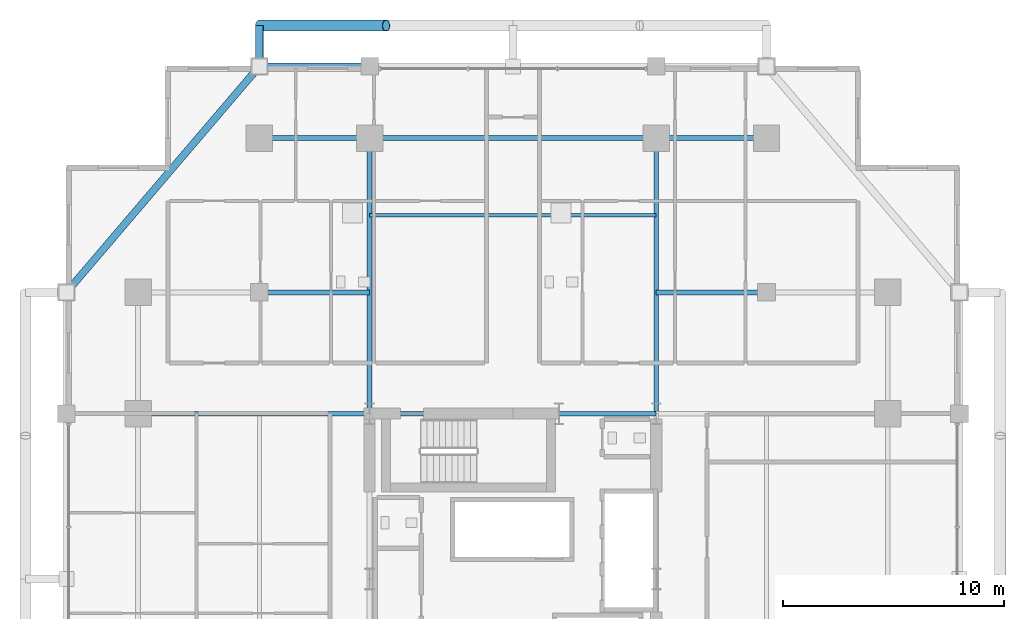
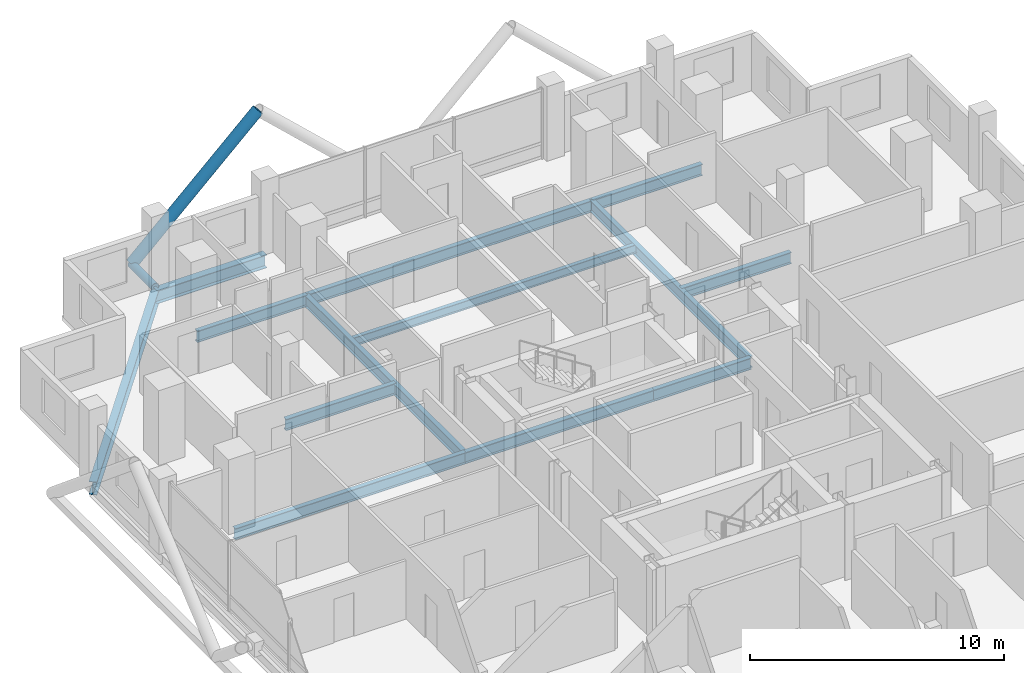
# One storey, part 13 of 25: 13 beams, 2 members.
"""IFC4 building model written with IfcOpenShell, lengths in metres."""

import ifcopenshell
import ifcopenshell.guid

model = None  # the IFC model being written
_history = None  # IfcOwnerHistory: only IFC2X3 demands one
_inside = {}  # id of a spatial element -> (the spatial element, [elements in it])
_under = {}  # id of a project, library or spatial element -> (it, [spatial elements below it])
_declared = {}  # id of a project -> (the project, [libraries it declares])
_typed = {}  # id of a type object -> (the type object, [elements of that type])
_made_of = {}  # id of a material, layer set ... -> (it, [elements and type objects made of it])


def new_model(schema):
    """Start an empty IFC model of exactly this schema.

    Asked for "IFC4X3", IfcOpenShell would pick the latest addendum, in which some entities
    have other attributes; the version numbers below select the first issue.
    IFC2X3 requires an IfcOwnerHistory on every rooted entity: one is made here for all.
    """
    global model, _history
    if schema == "IFC4X3":
        model = ifcopenshell.file(schema_version=(4, 3, 0, 0))
    else:
        model = ifcopenshell.file(schema=schema)
    _inside.clear()
    _under.clear()
    _declared.clear()
    _typed.clear()
    _made_of.clear()
    _history = None
    if model.schema == "IFC2X3":
        org = make("IfcOrganization", Name="unknown")
        user = make(
            "IfcPersonAndOrganization",
            ThePerson=make("IfcPerson", FamilyName="unknown"),
            TheOrganization=org,
        )
        app = make(
            "IfcApplication",
            ApplicationDeveloper=org,
            Version="unknown",
            ApplicationFullName="unknown",
            ApplicationIdentifier="unknown",
        )
        _history = make(
            "IfcOwnerHistory",
            OwningUser=user,
            OwningApplication=app,
            ChangeAction="ADDED",
            CreationDate=0,
        )
    return model


def make(cls, **values):
    """One entity of the class cls with the attributes given. An attribute that is None is left unset."""
    return model.create_entity(
        cls, **{name: value for name, value in values.items() if value is not None}
    )


def rooted(cls, **values):
    """An entity with a GlobalId (a new one), such as an element, a storey or a relation."""
    return make(cls, GlobalId=ifcopenshell.guid.new(), OwnerHistory=_history, **values)


def si_unit(unit_type, name, prefix=None):
    """IfcSIUnit, for example si_unit("LENGTHUNIT", "METRE", prefix="MILLI")."""
    return make("IfcSIUnit", UnitType=unit_type, Prefix=prefix, Name=name)


def assignment(units):
    """IfcUnitAssignment: the units of a project."""
    return None if units is None else make("IfcUnitAssignment", Units=units)


def point(xyz):
    """IfcCartesianPoint."""
    return None if xyz is None else make("IfcCartesianPoint", Coordinates=xyz)


def direction(xyz):
    """IfcDirection."""
    return None if xyz is None else make("IfcDirection", DirectionRatios=xyz)


def frame(location, z_axis=None, x_axis=None):
    """IfcAxis2Placement3D, a coordinate frame: its origin and axes. An axis left out is left unset."""
    return make(
        "IfcAxis2Placement3D",
        Location=point(location),
        Axis=direction(z_axis),
        RefDirection=direction(x_axis),
    )


def frame_2d(location, x_axis=None):
    """IfcAxis2Placement2D, a coordinate frame in the plane: its origin and x axis."""
    return make(
        "IfcAxis2Placement2D", Location=point(location), RefDirection=direction(x_axis)
    )


def origin():
    """The frame at (0, 0, 0) with its axes left unset."""
    return frame((0.0, 0.0, 0.0))


def origin_2d():
    """The frame at (0, 0) in the plane with its x axis left unset."""
    return frame_2d((0.0, 0.0))


def place(relative_to, where):
    """IfcLocalPlacement: puts the frame where relative to a parent placement (None: the world)."""
    return make(
        "IfcLocalPlacement", PlacementRelTo=relative_to, RelativePlacement=where
    )


def context(
    kind, dimensions, precision=None, world=None, true_north=None, identifier=None
):
    """IfcGeometricRepresentationContext, for example the 3D "Model" context."""
    return make(
        "IfcGeometricRepresentationContext",
        ContextIdentifier=identifier,
        ContextType=kind,
        CoordinateSpaceDimension=dimensions,
        Precision=precision,
        WorldCoordinateSystem=world,
        TrueNorth=true_north,
    )


def subcontext(parent, identifier, kind, view, scale=None):
    """IfcGeometricRepresentationSubContext, for example "Body" below "Model"."""
    return make(
        "IfcGeometricRepresentationSubContext",
        ContextIdentifier=identifier,
        ContextType=kind,
        ParentContext=parent,
        TargetScale=scale,
        TargetView=view,
    )


def project(units=None, contexts=None):
    """IfcProject with its units and contexts."""
    return rooted(
        "IfcProject",
        Name="project",
        RepresentationContexts=contexts,
        UnitsInContext=assignment(units),
    )


def spatial(cls, under=None, at=None, **own):
    """A site, building, storey or space (cls), placed at a placement, below another one or the project."""
    s = rooted(cls, ObjectPlacement=at, **own)
    if under is not None:
        _under.setdefault(under.id(), (under, []))[1].append(s)
    return s


def profile(cls, at=None, kind="AREA", **sizes):
    """A parametric profile (cls). Its sizes go by their IFC names, for example OverallWidth=200.0."""
    return make(cls, ProfileType=kind, Position=at, **sizes)


def hollow_circle(**sizes):
    """IfcCircleHollowProfileDef."""
    return profile("IfcCircleHollowProfileDef", **sizes)


def i_section(**sizes):
    """IfcIShapeProfileDef."""
    return profile("IfcIShapeProfileDef", **sizes)


def extrude(swept, where, along, depth):
    """IfcExtrudedAreaSolid: the profile swept, set in the frame where, extruded along a direction by depth."""
    return make(
        "IfcExtrudedAreaSolid",
        SweptArea=swept,
        Position=where,
        ExtrudedDirection=direction(along),
        Depth=depth,
    )


def shape(context_of_items, identifier, shape_type, items):
    """IfcShapeRepresentation: the items that make up one representation, for example the "Body"."""
    return make(
        "IfcShapeRepresentation",
        ContextOfItems=context_of_items,
        RepresentationIdentifier=identifier,
        RepresentationType=shape_type,
        Items=items,
    )


def material(Name=None, Category=None):
    """IfcMaterial."""
    return make("IfcMaterial", Name=Name, Category=Category)


def material_profile(
    of_material, cross_section, Name=None, Category=None, Priority=None
):
    """IfcMaterialProfile: a cross section and its material."""
    return make(
        "IfcMaterialProfile",
        Name=Name,
        Material=of_material,
        Profile=cross_section,
        Priority=Priority,
        Category=Category,
    )


def profile_set(profiles, Name=None, composite=None):
    """IfcMaterialProfileSet."""
    return make(
        "IfcMaterialProfileSet",
        Name=Name,
        MaterialProfiles=profiles,
        CompositeProfile=composite,
    )


def made_of(thing, what):
    """Note that an element or type object is made of a material, layer set ...; save() writes the relation."""
    if what is not None:
        _made_of.setdefault(what.id(), (what, []))[1].append(thing)
    return thing


def type_object(cls, material=None, **own):
    """A type object (cls), such as IfcWallType, which elements share."""
    return made_of(rooted(cls, **own), material)


def element(
    cls,
    number,
    at=None,
    inside=None,
    cuts=None,
    type_object=None,
    material=None,
    context=None,
    identifier="Body",
    shape_type=None,
    held_by="IfcProductDefinitionShape",
    body=None,
    shapes=None,
    **own,
):
    """One element of the class cls, such as IfcWall. Its Tag is "e" and its number.

    at: its placement. inside: the storey or other place that contains it. cuts: it is an
    opening in that element (IfcRelVoidsElement). A single representation is given by context,
    identifier, shape_type and body (its items); several are given by shapes. held_by: the class
    of the entity that holds the representations. save() writes the other relations.
    """
    e = rooted(cls, Tag="e%d" % number, ObjectPlacement=at, **own)
    if body is not None:
        shapes = [shape(context, identifier, shape_type, body)]
    if shapes is not None:
        e.Representation = make(held_by, Representations=shapes)
    if inside is not None:
        _inside.setdefault(inside.id(), (inside, []))[1].append(e)
    if cuts is not None:
        rooted(
            "IfcRelVoidsElement", RelatingBuildingElement=cuts, RelatedOpeningElement=e
        )
    if type_object is not None:
        _typed.setdefault(type_object.id(), (type_object, []))[1].append(e)
    return made_of(e, material)


def aggregate(whole, parts):
    """IfcRelAggregates: a whole, such as a stair, and the parts it consists of."""
    return rooted("IfcRelAggregates", RelatingObject=whole, RelatedObjects=parts)


def save(model, path):
    """Write the relations noted so far, then the file.

    IfcRelAggregates (storeys below a building ...), IfcRelContainedInSpatialStructure (elements
    in a storey), IfcRelDefinesByType, IfcRelAssociatesMaterial and IfcRelDeclares: one each for
    every whole, place, type object, material and project.
    """
    for whole, parts in _under.values():
        aggregate(whole, parts)
    for where, things in _inside.values():
        rooted(
            "IfcRelContainedInSpatialStructure",
            RelatedElements=things,
            RelatingStructure=where,
        )
    for kind, things in _typed.values():
        rooted("IfcRelDefinesByType", RelatedObjects=things, RelatingType=kind)
    for what, things in _made_of.values():
        rooted("IfcRelAssociatesMaterial", RelatedObjects=things, RelatingMaterial=what)
    for by, libraries in _declared.values():
        rooted("IfcRelDeclares", RelatingContext=by, RelatedDefinitions=libraries)
    model.write(path)


model = new_model("IFC4")

# Units and contexts
model_context = context("Model", 3, precision=1e-05, world=origin(), true_north=direction((0.0, 1.0)))
body_context = subcontext(model_context, "Body", "Model", "MODEL_VIEW")
ifc_project = project(units=[si_unit("LENGTHUNIT", "METRE"), si_unit("AREAUNIT", "SQUARE_METRE"), si_unit("VOLUMEUNIT", "CUBIC_METRE"), si_unit("PLANEANGLEUNIT", "RADIAN"), si_unit("MASSUNIT", "GRAM", prefix="KILO")], contexts=[model_context])

# Site, building, storey
site_placement = place(None, origin())
site = spatial("IfcSite", under=ifc_project, at=site_placement, CompositionType="ELEMENT")
building_placement = place(site_placement, origin())
building = spatial("IfcBuilding", under=site, at=building_placement, Name="Barlavira Tower and Art Museum", CompositionType="ELEMENT")
storey_placement = place(building_placement, frame((0.0, 0.0, 133.199951171875)))
storey = spatial("IfcBuildingStorey", under=building, at=storey_placement, Name="L33", CompositionType="ELEMENT", Elevation=133.199951171875)

# Members
ifc_material = material(Name="Steel S355", Category="steel")
ifc_material_profile_1 = material_profile(ifc_material, hollow_circle(Radius=0.25390625, WallThickness=0.022216796875, at=origin_2d()), Name="CHS 508.0x22.2")
ifc_profile_set_1 = profile_set([ifc_material_profile_1], Name="Steel S355")
member_type_1 = type_object("IfcMemberType", Name="Pale-Metal Exoskeleton Diagrid Tube CHS 508x22 Steel S355", PredefinedType="BRACE", material=ifc_profile_set_1)
member_1_placement = place(storey_placement, frame((-11.5, 25.10009765625, -0.119873046875), z_axis=(0.728950095515, 0.0, 0.684566839869), x_axis=(0.0, 1.0, 0.0)))
element("IfcMember", 1, at=member_1_placement, inside=storey, type_object=member_type_1, Name="L33 Exoskeleton Diagrid Tube N", PredefinedType="BRACE", context=body_context, shape_type="SweptSolid", body=[
    extrude(hollow_circle(Radius=0.25390625, WallThickness=0.022216796875, at=origin_2d()), origin(), (0.0, 0.0, 1.0), 7.887939453125),
])
ifc_material_profile_2 = material_profile(ifc_material, hollow_circle(Radius=0.177734375, WallThickness=0.01611328125, at=origin_2d()), Name="CHS 355.6x16.0")
ifc_profile_set_2 = profile_set([ifc_material_profile_2], Name="Steel S355")
member_type_2 = type_object("IfcMemberType", Name="Pale-Metal Exoskeleton Tie Strut CHS 356x16 Steel S355", PredefinedType="STRUT", material=ifc_profile_set_2)
member_2_placement = place(storey_placement, frame((-11.5, 25.10009765625, -0.119873046875), z_axis=(0.0, -1.0, 0.0), x_axis=(1.0, 0.0, 0.0)))
element("IfcMember", 2, at=member_2_placement, inside=storey, type_object=member_type_2, Name="L33 Exoskeleton Tie Strut N1", PredefinedType="STRUT", context=body_context, shape_type="SweptSolid", body=[
    extrude(hollow_circle(Radius=0.177734375, WallThickness=0.01611328125, at=origin_2d()), origin(), (0.0, 0.0, 1.0), 1.85009765625),
])

# Beams
ifc_material_profile_3 = material_profile(ifc_material, i_section(OverallWidth=0.327880859375, OverallDepth=0.62890625, WebThickness=0.013916015625, FlangeThickness=0.021484375, at=origin_2d()), Name="W610x174.0")
ifc_profile_set_3 = profile_set([ifc_material_profile_3], Name="Steel S355")
beam_type_1 = type_object("IfcBeamType", Name="Perimeter Spandrel Edge Beam W610x174 Steel S355", PredefinedType="SPANDREL", material=ifc_profile_set_3)
beam_1_placement = place(storey_placement, frame((-11.5, 23.25, -0.534423828125), z_axis=(1.0, 0.0, 0.0), x_axis=(0.0, 1.0, 0.0)))
element("IfcBeam", 3, at=beam_1_placement, inside=storey, type_object=beam_type_1, Name="L33 Spandrel 11", PredefinedType="SPANDREL", context=body_context, shape_type="SweptSolid", body=[
    extrude(i_section(OverallWidth=0.327880859375, OverallDepth=0.62890625, WebThickness=0.013916015625, FlangeThickness=0.021484375, at=origin_2d()), origin(), (0.0, 0.0, 1.0), 5.0),
])
beam_2_placement = place(storey_placement, frame((-11.5, 23.25, -0.534423828125), z_axis=(-0.649262379928, -0.760564502202, 0.0), x_axis=(0.760564502202, -0.649262379928, 0.0)))
element("IfcBeam", 4, at=beam_2_placement, inside=storey, type_object=beam_type_1, Name="L33 Spandrel 12", PredefinedType="SPANDREL", context=body_context, shape_type="SweptSolid", body=[
    extrude(i_section(OverallWidth=0.327880859375, OverallDepth=0.62890625, WebThickness=0.013916015625, FlangeThickness=0.021484375, at=origin_2d()), origin(), (0.0, 0.0, 1.0), 13.476806640625),
])
ifc_material_profile_4 = material_profile(ifc_material, i_section(OverallWidth=0.214111328125, OverallDepth=0.549072265625, WebThickness=0.0146484375, FlangeThickness=0.023681640625, at=origin_2d()), Name="W530x138.0")
ifc_profile_set_4 = profile_set([ifc_material_profile_4], Name="Steel S355")
beam_type_2 = type_object("IfcBeamType", Name="Zone 1 Primary Floor Girder W530x138 Steel S355", PredefinedType="BEAM", material=ifc_profile_set_4)
beam_3_placement = place(storey_placement, frame((-6.5, 7.5, -0.494384765625), z_axis=(1.0, 0.0, 0.0), x_axis=(0.0, 1.0, 0.0)))
element("IfcBeam", 5, at=beam_3_placement, inside=storey, type_object=beam_type_2, Name="L33 Girder C-N1", PredefinedType="BEAM", context=body_context, shape_type="SweptSolid", body=[
    extrude(i_section(OverallWidth=0.214111328125, OverallDepth=0.549072265625, WebThickness=0.0146484375, FlangeThickness=0.023681640625, at=origin_2d()), origin(), (0.0, 0.0, 1.0), 8.580078125),
])
beam_4_placement = place(storey_placement, frame((2.080078125, 7.5, -0.494384765625), z_axis=(1.0, 0.0, 0.0), x_axis=(0.0, 1.0, 0.0)))
element("IfcBeam", 6, at=beam_4_placement, inside=storey, type_object=beam_type_2, Name="L33 Girder C-N2", PredefinedType="BEAM", context=body_context, shape_type="SweptSolid", body=[
    extrude(i_section(OverallWidth=0.214111328125, OverallDepth=0.549072265625, WebThickness=0.0146484375, FlangeThickness=0.023681640625, at=origin_2d()), origin(), (0.0, 0.0, 1.0), 4.419921875),
])
beam_5_placement = place(storey_placement, frame((-11.5, 20.0, -0.494384765625), z_axis=(1.0, 0.0, 0.0), x_axis=(0.0, 1.0, 0.0)))
element("IfcBeam", 7, at=beam_5_placement, inside=storey, type_object=beam_type_2, Name="L33 Girder M-N1", PredefinedType="BEAM", context=body_context, shape_type="SweptSolid", body=[
    extrude(i_section(OverallWidth=0.214111328125, OverallDepth=0.549072265625, WebThickness=0.0146484375, FlangeThickness=0.023681640625, at=origin_2d()), origin(), (0.0, 0.0, 1.0), 5.0),
])
beam_6_placement = place(storey_placement, frame((-6.5, 20.0, -0.494384765625), z_axis=(1.0, 0.0, 0.0), x_axis=(0.0, 1.0, 0.0)))
element("IfcBeam", 8, at=beam_6_placement, inside=storey, type_object=beam_type_2, Name="L33 Girder M-N2", PredefinedType="BEAM", context=body_context, shape_type="SweptSolid", body=[
    extrude(i_section(OverallWidth=0.214111328125, OverallDepth=0.549072265625, WebThickness=0.0146484375, FlangeThickness=0.023681640625, at=origin_2d()), origin(), (0.0, 0.0, 1.0), 13.0),
])
beam_7_placement = place(storey_placement, frame((6.5, 20.0, -0.494384765625), z_axis=(1.0, 0.0, 0.0), x_axis=(0.0, 1.0, 0.0)))
element("IfcBeam", 9, at=beam_7_placement, inside=storey, type_object=beam_type_2, Name="L33 Girder M-N3", PredefinedType="BEAM", context=body_context, shape_type="SweptSolid", body=[
    extrude(i_section(OverallWidth=0.214111328125, OverallDepth=0.549072265625, WebThickness=0.0146484375, FlangeThickness=0.023681640625, at=origin_2d()), origin(), (0.0, 0.0, 1.0), 5.0),
])
for number, where, z_axis, x_axis, name in (
    (10, (-6.5, 7.5, -0.494384765625), (0.0, 1.0, 0.0), (-1.0, 0.0, 0.0), "L33 Girder R-N1"),
    (11, (6.5, 7.5, -0.494384765625), (0.0, 1.0, 0.0), (-1.0, 0.0, 0.0), "L33 Girder R-N2"),
):
    element("IfcBeam", number, at=place(storey_placement, frame(where, z_axis=z_axis, x_axis=x_axis)), inside=storey, type_object=beam_type_2, Name=name, PredefinedType="BEAM", context=body_context, shape_type="SweptSolid", body=[
        extrude(i_section(OverallWidth=0.214111328125, OverallDepth=0.549072265625, WebThickness=0.0146484375, FlangeThickness=0.023681640625, at=origin_2d()), origin(), (0.0, 0.0, 1.0), 12.5),
    ])
beam_8_placement = place(storey_placement, frame((-17.0, 7.5, -0.494384765625), z_axis=(1.0, 0.0, 0.0), x_axis=(0.0, 1.0, 0.0)))
element("IfcBeam", 12, at=beam_8_placement, inside=storey, type_object=beam_type_2, Name="L33 Girder R-W2", PredefinedType="BEAM", context=body_context, shape_type="SweptSolid", body=[
    extrude(i_section(OverallWidth=0.214111328125, OverallDepth=0.549072265625, WebThickness=0.0146484375, FlangeThickness=0.023681640625, at=origin_2d()), origin(), (0.0, 0.0, 1.0), 10.5),
])
for number, where, z_axis, x_axis, name in (
    (13, (-11.5, 13.0, -0.494384765625), (1.0, 0.0, 0.0), (0.0, 1.0, 0.0), "L33 Girder I-N2"),
    (14, (6.5, 13.0, -0.494384765625), (1.0, 0.0, 0.0), (0.0, 1.0, 0.0), "L33 Girder I-N3"),
):
    element("IfcBeam", number, at=place(storey_placement, frame(where, z_axis=z_axis, x_axis=x_axis)), inside=storey, type_object=beam_type_2, Name=name, PredefinedType="BEAM", context=body_context, shape_type="SweptSolid", body=[
        extrude(i_section(OverallWidth=0.214111328125, OverallDepth=0.549072265625, WebThickness=0.0146484375, FlangeThickness=0.023681640625, at=origin_2d()), origin(), (0.0, 0.0, 1.0), 5.0),
    ])
ifc_material_profile_5 = material_profile(ifc_material, i_section(OverallWidth=0.179931640625, OverallDepth=0.4130859375, WebThickness=0.009765625, FlangeThickness=0.01611328125, at=origin_2d()), Name="W410x75.0")
ifc_profile_set_5 = profile_set([ifc_material_profile_5], Name="Steel S355")
beam_type_3 = type_object("IfcBeamType", Name="Zone 2 Composite Floor Joist W410x75 Steel S355", PredefinedType="JOIST", material=ifc_profile_set_5)
beam_9_placement = place(storey_placement, frame((-6.5, 16.5, -0.426513671875), z_axis=(1.0, 0.0, 0.0), x_axis=(0.0, 1.0, 0.0)))
element("IfcBeam", 15, at=beam_9_placement, inside=storey, type_object=beam_type_3, Name="L33 Joist C2", PredefinedType="JOIST", context=body_context, shape_type="SweptSolid", body=[
    extrude(i_section(OverallWidth=0.179931640625, OverallDepth=0.4130859375, WebThickness=0.009765625, FlangeThickness=0.01611328125, at=origin_2d()), origin(), (0.0, 0.0, 1.0), 13.0),
])

save(model, "model.ifc")
